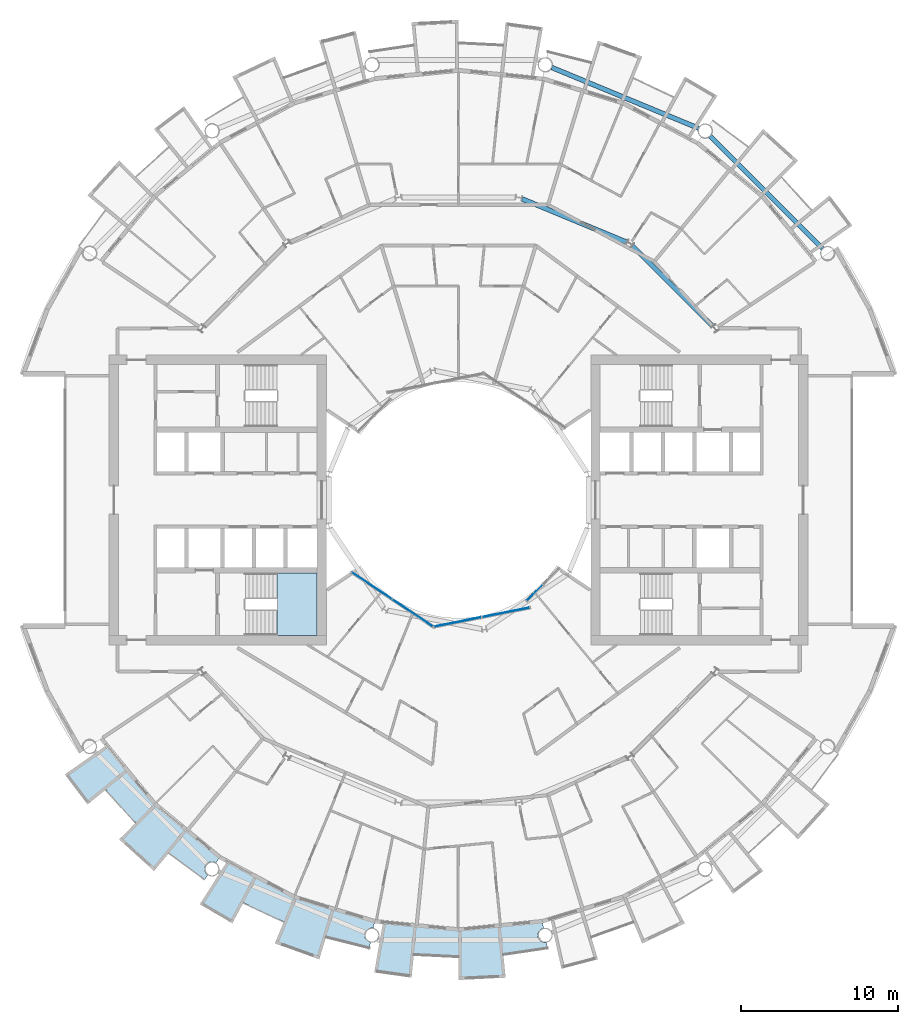
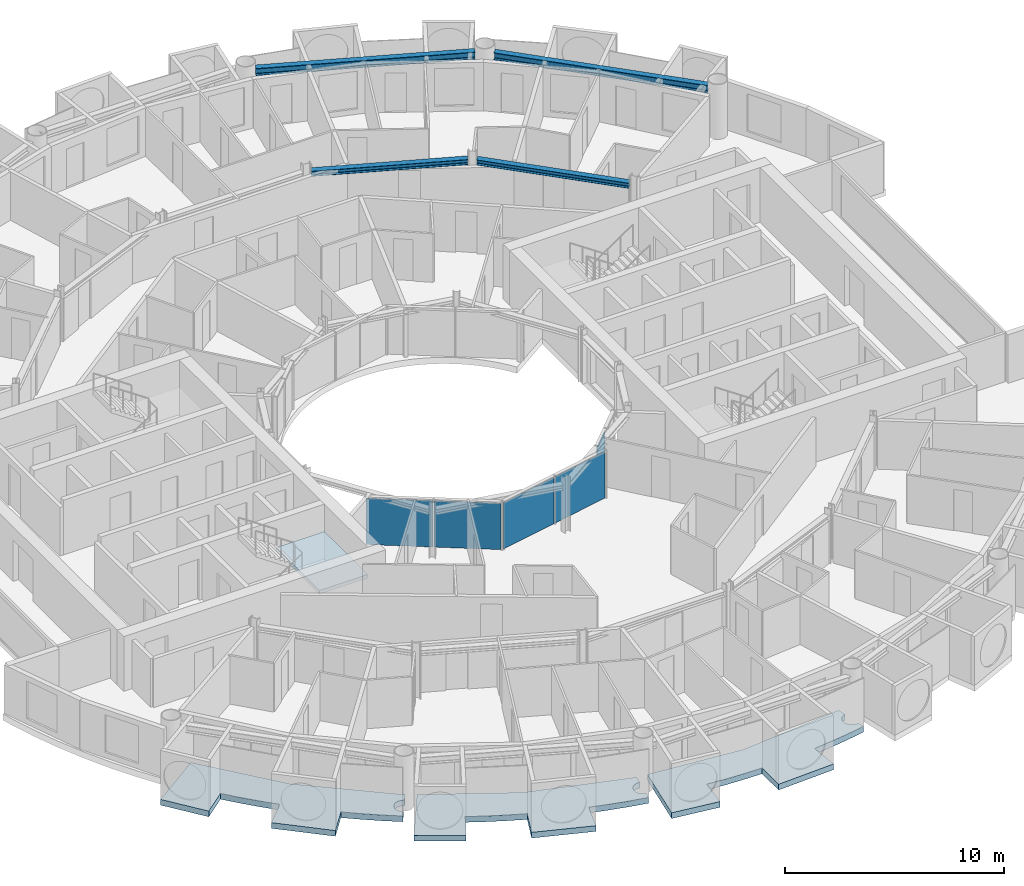
# One storey, part 10 of 27: 5 plates, 4 beams, 4 slabs, 4 elements without a shape of their own.
"""IFC4 building model written with IfcOpenShell, lengths in metres."""

from ifc_helpers import new_model, si_unit, direction, frame, origin, origin_2d, place, context, subcontext, project, spatial, polyline, rectangle, i_section, outline, extrude, material, layer, layer_set, material_profile, profile_set, type_object, element, aggregate, save


model = new_model("IFC4")

# Units and contexts
model_context = context("Model", 3, precision=1e-05, world=origin(), true_north=direction((0.0, 1.0)))
body_context = subcontext(model_context, "Body", "Model", "MODEL_VIEW")
ifc_project = project(units=[si_unit("LENGTHUNIT", "METRE"), si_unit("AREAUNIT", "SQUARE_METRE"), si_unit("VOLUMEUNIT", "CUBIC_METRE"), si_unit("PLANEANGLEUNIT", "RADIAN"), si_unit("MASSUNIT", "GRAM", prefix="KILO")], contexts=[model_context])

# Site, building, storey
site_placement = place(None, origin())
site = spatial("IfcSite", under=ifc_project, at=site_placement, CompositionType="ELEMENT")
building_placement = place(site_placement, origin())
building = spatial("IfcBuilding", under=site, at=building_placement, Name="Maasbend Ring Residences", CompositionType="ELEMENT")
storey_placement = place(building_placement, frame((0.0, 0.0, 117.75)))
storey = spatial("IfcBuildingStorey", under=building, at=storey_placement, Name="L33", CompositionType="ELEMENT", Elevation=117.75)

# Beams
ifc_material_1 = material(Name="Steel S355J2", Category="steel")
ifc_material_profile_1 = material_profile(ifc_material_1, i_section(OverallWidth=0.300048828125, OverallDepth=0.2900390625, WebThickness=0.008544921875, FlangeThickness=0.013916015625, FilletRadius=0.027099609375, at=origin_2d()), Name="HEA 300")
ifc_profile_set_1 = profile_set([ifc_material_profile_1], Name="Steel S355J2")
beam_type_1 = type_object("IfcBeamType", Name="Corridor ring beam HEA 300", PredefinedType="BEAM", material=ifc_profile_set_1)
for number, where, z_axis, x_axis, name in (
    (1, (16.14111328125, 11.044921875, 2.554931640625), (-0.707106781187, 0.707106781187, 0.0), (-0.707106781187, -0.707106781187, 0.0), "Corridor ring beam"),
    (2, (10.685791015625, 16.381103515625, 2.554931640625), (-0.923877693919, 0.382687871089, 0.0), (-0.382687871089, -0.923877693919, 0.0), "Corridor ring beam"),
):
    element("IfcBeam", number, at=place(storey_placement, frame(where, z_axis=z_axis, x_axis=x_axis)), inside=storey, type_object=beam_type_1, Name=name, PredefinedType="BEAM", context=body_context, shape_type="SweptSolid", body=[
        extrude(i_section(OverallWidth=0.300048828125, OverallDepth=0.2900390625, WebThickness=0.008544921875, FlangeThickness=0.013916015625, FilletRadius=0.027099609375, at=origin_2d()), origin(), (0.0, 0.0, 1.0), 7.20703125),
    ])
ifc_material_2 = material(Name="Steel S355J2", Category="steel")
ifc_material_profile_2 = material_profile(ifc_material_2, i_section(OverallWidth=0.300048828125, OverallDepth=0.39990234375, WebThickness=0.013427734375, FlangeThickness=0.02392578125, FilletRadius=0.027099609375, at=origin_2d()), Name="HEB 400")
ifc_profile_set_2 = profile_set([ifc_material_profile_2], Name="Steel S355J2")
beam_type_2 = type_object("IfcBeamType", Name="Spandrel ring beam HEB 400", PredefinedType="SPANDREL", material=ifc_profile_set_2)
for number, where, z_axis, x_axis, name in (
    (3, (23.124267578125, 15.990234375, 2.5), (-0.707106781187, 0.707106781187, 0.0), (-0.707106781187, -0.707106781187, 0.0), "Spandrel ring beam"),
    (4, (15.244873046875, 23.622314453125, 2.5), (-0.92388529709, 0.382669515144, 0.0), (-0.382669515144, -0.92388529709, 0.0), "Spandrel ring beam"),
):
    element("IfcBeam", number, at=place(storey_placement, frame(where, z_axis=z_axis, x_axis=x_axis)), inside=storey, type_object=beam_type_2, Name=name, PredefinedType="SPANDREL", context=body_context, shape_type="SweptSolid", body=[
        extrude(i_section(OverallWidth=0.300048828125, OverallDepth=0.39990234375, WebThickness=0.013427734375, FlangeThickness=0.02392578125, FilletRadius=0.027099609375, at=origin_2d()), origin(), (0.0, 0.0, 1.0), 10.089111328125),
    ])

# Stair, slab
ifc_material_3 = material(Name="Concrete C40/50", Category="concrete")
stair_type = type_object("IfcStairType", Name="CORE STAIR 18 RISERS", PredefinedType="HALF_TURN_STAIR", material=ifc_material_3)
stair_placement = place(storey_placement, origin())
stair = element("IfcStair", 5, at=stair_placement, inside=storey, type_object=stair_type, Name="L33 Exit stair ST-W1", PredefinedType="HALF_TURN_STAIR")
ifc_material_4 = material(Name="Concrete C40/50", Category="concrete")
ifc_layer_1 = layer(ifc_material_4, 0.199951171875)
ifc_layer_set_1 = layer_set([ifc_layer_1], Name="Concrete C40/50")
slab_type_1 = type_object("IfcSlabType", Name="CORE STAIR LANDING 200", PredefinedType="LANDING", material=ifc_layer_set_1)
slab_1_placement = place(storey_placement, frame((0.0, 0.0, 1.324951171875)))
slab_1 = element("IfcSlab", 6, at=slab_1_placement, type_object=slab_type_1, Name="ST-W1 landing 1", PredefinedType="LANDING", context=body_context, shape_type="SweptSolid", body=[
    extrude(outline(polyline([(-11.550048828125, -8.60009765625), (-9.0, -8.60009765625), (-9.0, -4.64990234375), (-11.550048828125, -4.64990234375), (-11.550048828125, -8.60009765625)])), origin(), (0.0, 0.0, 1.0), 0.199951171875),
])
aggregate(stair, [slab_1])

# Curtain wall, plates
ifc_material_5 = material(Name="Aluminium and clear glass", Category="aluminium")
ifc_layer_2 = layer(ifc_material_5, 0.179931640625)
ifc_layer_set_2 = layer_set([ifc_layer_2], Name="CW-W")
curtain_wall_type = type_object("IfcCurtainWallType", Name="CW-W", PredefinedType="NOTDEFINED", material=ifc_layer_set_2)
curtain_wall_1_placement = place(storey_placement, origin())
curtain_wall_1 = element("IfcCurtainWall", 7, at=curtain_wall_1_placement, inside=storey, type_object=curtain_wall_type, Name="Well curtain wall S1", PredefinedType="NOTDEFINED")
ifc_material_6 = material(Name="Glass clear laminated", Category="glass")
ifc_layer_3 = layer(ifc_material_6, 0.031982421875)
ifc_layer_set_3 = layer_set([ifc_layer_3], Name="CWP-W")
plate_type = type_object("IfcPlateType", Name="CWP-W", PredefinedType="CURTAIN_PANEL", material=ifc_layer_set_3)
plate_1_placement = place(storey_placement, frame((-5.51123046875, -5.44580078125, 0.0), z_axis=(0.0, 0.0, 1.0), x_axis=(0.831469612303, -0.55557023302, 0.0)))
plate_1 = element("IfcPlate", 8, at=plate_1_placement, type_object=plate_type, Name="Glass panel well face", PredefinedType="CURTAIN_PANEL", context=body_context, shape_type="SweptSolid", body=[
    extrude(rectangle(XDim=3.053955078125, YDim=0.031982421875, at=origin_2d()), origin(), (0.0, 0.0, 1.0), 2.580078125),
])
plate_2_placement = place(storey_placement, frame((-2.922119140625, -7.17578125, 0.0), z_axis=(0.0, 0.0, 1.0), x_axis=(0.831469612303, -0.55557023302, 0.0)))
plate_2 = element("IfcPlate", 9, at=plate_2_placement, type_object=plate_type, Name="Glass panel well face", PredefinedType="CURTAIN_PANEL", context=body_context, shape_type="SweptSolid", body=[
    extrude(rectangle(XDim=3.053955078125, YDim=0.031982421875, at=origin_2d()), origin(), (0.0, 0.0, 1.0), 2.580078125),
])
aggregate(curtain_wall_1, [plate_1, plate_2])

curtain_wall_2_placement = place(storey_placement, origin())
curtain_wall_2 = element("IfcCurtainWall", 10, at=curtain_wall_2_placement, inside=storey, type_object=curtain_wall_type, Name="Well curtain wall S2", PredefinedType="NOTDEFINED")
plate_3_placement = place(storey_placement, frame((-0.04638671875, -7.747802734375, 0.0), z_axis=(0.0, 0.0, 1.0), x_axis=(0.980785280403, 0.195090322016, 0.0)))
plate_3 = element("IfcPlate", 11, at=plate_3_placement, type_object=plate_type, Name="Glass panel well face", PredefinedType="CURTAIN_PANEL", context=body_context, shape_type="SweptSolid", body=[
    extrude(rectangle(XDim=3.053955078125, YDim=0.031982421875, at=origin_2d()), origin(), (0.0, 0.0, 1.0), 2.580078125),
])
plate_4_placement = place(storey_placement, frame((3.0078125, -7.140380859375, 0.0), z_axis=(0.0, 0.0, 1.0), x_axis=(0.980785280403, 0.195090322016, 0.0)))
plate_4 = element("IfcPlate", 12, at=plate_4_placement, type_object=plate_type, Name="Glass panel well face", PredefinedType="CURTAIN_PANEL", context=body_context, shape_type="SweptSolid", body=[
    extrude(rectangle(XDim=3.053955078125, YDim=0.031982421875, at=origin_2d()), origin(), (0.0, 0.0, 1.0), 2.580078125),
])
aggregate(curtain_wall_2, [plate_3, plate_4])

# Curtain wall, plate
curtain_wall_3_placement = place(storey_placement, origin())
curtain_wall_3 = element("IfcCurtainWall", 13, at=curtain_wall_3_placement, inside=storey, type_object=curtain_wall_type, Name="Well curtain wall S3", PredefinedType="NOTDEFINED")
plate_5_placement = place(storey_placement, frame((4.84375, -5.89013671875, 0.0), z_axis=(0.0, 0.0, 1.0), x_axis=(0.707106781187, 0.707106781187, 0.0)))
plate_5 = element("IfcPlate", 14, at=plate_5_placement, type_object=plate_type, Name="Glass panel well face", PredefinedType="CURTAIN_PANEL", context=body_context, shape_type="SweptSolid", body=[
    extrude(rectangle(XDim=1.419677734375, YDim=0.031982421875, at=origin_2d()), origin(), (0.0, 0.0, 1.0), 2.580078125),
])
aggregate(curtain_wall_3, [plate_5])

# Slabs
ifc_material_7 = material(Name="Concrete C40/50", Category="concrete")
ifc_layer_4 = layer(ifc_material_7, 0.199951171875)
ifc_layer_set_4 = layer_set([ifc_layer_4], Name="Concrete C40/50")
slab_type_2 = type_object("IfcSlabType", Name="SL-LOGGIA", PredefinedType="FLOOR", material=ifc_layer_set_4)
slab_2_placement = place(storey_placement, frame((0.0, 0.0, -0.35009765625)))
element("IfcSlab", 15, at=slab_2_placement, inside=storey, type_object=slab_type_2, Name="Loggia floor 2", PredefinedType="FLOOR", context=body_context, shape_type="SweptSolid", body=[
    extrude(outline(polyline([(-12.806884765625, -23.9609375), (-10.447021484375, -25.221923828125), (-10.447021484375, -25.221923828125), (-10.447021484375, -25.221923828125), (-7.886962890625, -25.9990234375), (-5.325927734375, -26.77490234375), (-5.325927734375, -26.77490234375), (-5.325927734375, -26.77490234375), (-5.412109375, -27.2099609375), (-5.423095703125, -27.2080078125), (-5.43408203125, -27.2060546875), (-5.446044921875, -27.205078125), (-5.45703125, -27.202880859375), (-5.468017578125, -27.201904296875), (-5.47900390625, -27.201904296875), (-5.489990234375, -27.200927734375), (-5.501953125, -27.200927734375), (-5.512939453125, -27.200927734375), (-5.52392578125, -27.201904296875), (-5.534912109375, -27.201904296875), (-5.5458984375, -27.202880859375), (-5.556884765625, -27.205078125), (-5.569091796875, -27.2060546875), (-5.580078125, -27.2080078125), (-5.591064453125, -27.2099609375), (-5.60205078125, -27.2119140625), (-5.613037109375, -27.215087890625), (-5.623046875, -27.218017578125), (-5.634033203125, -27.220947265625), (-5.64501953125, -27.22412109375), (-5.655029296875, -27.22802734375), (-5.666015625, -27.23193359375), (-5.676025390625, -27.236083984375), (-5.68701171875, -27.239990234375), (-5.697021484375, -27.2451171875), (-5.70703125, -27.25), (-5.717041015625, -27.2548828125), (-5.72705078125, -27.260009765625), (-5.736083984375, -27.26611328125), (-5.74609375, -27.27197265625), (-5.7548828125, -27.278076171875), (-5.764892578125, -27.283935546875), (-5.77392578125, -27.291015625), (-5.782958984375, -27.298095703125), (-5.791015625, -27.304931640625), (-5.800048828125, -27.31201171875), (-5.80810546875, -27.319091796875), (-5.81689453125, -27.326904296875), (-5.824951171875, -27.3349609375), (-5.83203125, -27.343017578125), (-5.840087890625, -27.35107421875), (-5.847900390625, -27.360107421875), (-5.85498046875, -27.367919921875), (-5.862060546875, -27.376953125), (-5.868896484375, -27.385986328125), (-5.875, -27.39501953125), (-5.881103515625, -27.404052734375), (-5.887939453125, -27.4140625), (-5.89306640625, -27.423095703125), (-5.89892578125, -27.43310546875), (-5.905029296875, -27.443115234375), (-5.909912109375, -27.452880859375), (-5.9150390625, -27.462890625), (-5.9189453125, -27.472900390625), (-5.924072265625, -27.48291015625), (-5.927978515625, -27.493896484375), (-5.931884765625, -27.50390625), (-5.93505859375, -27.514892578125), (-5.93896484375, -27.52490234375), (-5.94189453125, -27.535888671875), (-5.945068359375, -27.547119140625), (-5.947021484375, -27.55810546875), (-5.949951171875, -27.569091796875), (-5.951904296875, -27.580078125), (-5.9541015625, -27.591064453125), (-5.955078125, -27.60205078125), (-5.9560546875, -27.613037109375), (-5.95703125, -27.6240234375), (-5.9580078125, -27.635986328125), (-5.9580078125, -27.64697265625), (-5.9580078125, -27.657958984375), (-5.9580078125, -27.6689453125), (-5.9580078125, -27.680908203125), (-5.95703125, -27.69189453125), (-5.9560546875, -27.702880859375), (-5.955078125, -27.714111328125), (-5.9541015625, -27.72509765625), (-5.951904296875, -27.736083984375), (-5.949951171875, -27.7470703125), (-5.947021484375, -27.758056640625), (-5.945068359375, -27.76904296875), (-5.94189453125, -27.780029296875), (-5.93896484375, -27.791015625), (-5.93505859375, -27.801025390625), (-5.931884765625, -27.81201171875), (-5.927978515625, -27.822998046875), (-5.924072265625, -27.8330078125), (-5.9189453125, -27.843017578125), (-5.9150390625, -27.85302734375), (-5.909912109375, -27.864013671875), (-5.905029296875, -27.8740234375), (-5.89892578125, -27.883056640625), (-5.89306640625, -27.89306640625), (-5.887939453125, -27.903076171875), (-5.881103515625, -27.912109375), (-5.875, -27.9208984375), (-5.868896484375, -27.929931640625), (-5.862060546875, -27.93896484375), (-5.85498046875, -27.947998046875), (-5.847900390625, -27.95703125), (-5.840087890625, -27.965087890625), (-5.83203125, -27.972900390625), (-5.824951171875, -27.98095703125), (-5.81689453125, -27.989013671875), (-5.80810546875, -27.9970703125), (-5.800048828125, -28.00390625), (-5.791015625, -28.010986328125), (-5.782958984375, -28.01806640625), (-5.77392578125, -28.02490234375), (-5.764892578125, -28.031982421875), (-5.7548828125, -28.0380859375), (-5.74609375, -28.0439453125), (-5.736083984375, -28.050048828125), (-5.72705078125, -28.055908203125), (-5.717041015625, -28.06103515625), (-5.70703125, -28.06591796875), (-5.697021484375, -28.071044921875), (-5.68701171875, -28.075927734375), (-5.676025390625, -28.080078125), (-5.666015625, -28.083984375), (-5.655029296875, -28.087890625), (-5.64501953125, -28.092041015625), (-5.634033203125, -28.094970703125), (-5.623046875, -28.09912109375), (-5.613037109375, -28.10107421875), (-5.60205078125, -28.10400390625), (-5.591064453125, -28.10595703125), (-5.657958984375, -28.443115234375), (-5.657958984375, -28.443115234375), (-5.657958984375, -28.443115234375), (-6.5849609375, -28.241943359375), (-6.5849609375, -28.241943359375), (-7.506103515625, -28.011962890625), (-7.506103515625, -28.011962890625), (-8.41796875, -27.7509765625), (-8.41796875, -27.7509765625), (-8.41796875, -27.7509765625), (-8.41796875, -27.7509765625), (-8.41796875, -27.7509765625), (-8.41796875, -27.7509765625), (-8.41796875, -27.7509765625), (-8.41796875, -27.7509765625), (-8.41796875, -27.7509765625), (-8.41796875, -27.7509765625), (-8.41796875, -27.751953125), (-8.41796875, -27.751953125), (-8.41796875, -27.751953125), (-8.41796875, -27.751953125), (-8.41796875, -27.751953125), (-8.41796875, -27.751953125), (-8.41796875, -27.751953125), (-8.85400390625, -29.18701171875), (-8.85400390625, -29.18701171875), (-8.85400390625, -29.18701171875), (-11.672119140625, -28.177978515625), (-11.672119140625, -28.177978515625), (-11.672119140625, -28.177978515625), (-11.097900390625, -26.79296875), (-11.097900390625, -26.79296875), (-11.097900390625, -26.79296875), (-11.097900390625, -26.79296875), (-11.097900390625, -26.79296875), (-11.097900390625, -26.79296875), (-11.097900390625, -26.79296875), (-11.097900390625, -26.79296875), (-11.097900390625, -26.79296875), (-11.097900390625, -26.79296875), (-11.097900390625, -26.7919921875), (-11.097900390625, -26.7919921875), (-11.097900390625, -26.7919921875), (-11.097900390625, -26.7919921875), (-11.097900390625, -26.7919921875), (-11.097900390625, -26.7919921875), (-11.097900390625, -26.7919921875), (-11.968994140625, -26.4150390625), (-11.968994140625, -26.4150390625), (-12.825927734375, -26.009033203125), (-12.825927734375, -26.009033203125), (-13.669921875, -25.575927734375), (-13.669921875, -25.575927734375), (-13.669921875, -25.575927734375), (-13.669921875, -25.575927734375), (-13.669921875, -25.575927734375), (-13.669921875, -25.575927734375), (-13.669921875, -25.575927734375), (-13.669921875, -25.575927734375), (-13.669921875, -25.575927734375), (-13.669921875, -25.575927734375), (-13.6708984375, -25.575927734375), (-13.6708984375, -25.575927734375), (-13.6708984375, -25.575927734375), (-13.6708984375, -25.575927734375), (-13.6708984375, -25.575927734375), (-13.6708984375, -25.575927734375), (-13.6708984375, -25.575927734375), (-14.3779296875, -26.89892578125), (-14.3779296875, -26.89892578125), (-14.3779296875, -26.89892578125), (-16.44091796875, -25.68994140625), (-16.44091796875, -25.68994140625), (-16.44091796875, -25.68994140625), (-14.68994140625, -22.9541015625), (-14.68994140625, -22.9541015625), (-14.68994140625, -22.9541015625), (-12.806884765625, -23.9609375)])), origin(), (0.0, 0.0, 1.0), 0.320068359375),
])
slab_3_placement = place(storey_placement, frame((0.0, 0.0, -0.35009765625)))
element("IfcSlab", 16, at=slab_3_placement, inside=storey, type_object=slab_type_2, Name="Loggia floor 3", PredefinedType="FLOOR", context=body_context, shape_type="SweptSolid", body=[
    extrude(outline(polyline([(-2.6630859375, -27.0380859375), (0.0, -27.300048828125), (0.0, -27.300048828125), (0.0, -27.300048828125), (2.6630859375, -27.0380859375), (5.325927734375, -26.77490234375), (5.325927734375, -26.77490234375), (5.325927734375, -26.77490234375), (5.412109375, -27.2099609375), (5.412109375, -27.2099609375), (5.40087890625, -27.2119140625), (5.389892578125, -27.215087890625), (5.3798828125, -27.218017578125), (5.368896484375, -27.220947265625), (5.35791015625, -27.22412109375), (5.347900390625, -27.22802734375), (5.3369140625, -27.23193359375), (5.326904296875, -27.236083984375), (5.31591796875, -27.239990234375), (5.305908203125, -27.2451171875), (5.2958984375, -27.25), (5.285888671875, -27.2548828125), (5.27587890625, -27.260009765625), (5.26708984375, -27.26611328125), (5.257080078125, -27.27197265625), (5.248046875, -27.278076171875), (5.238037109375, -27.283935546875), (5.22900390625, -27.291015625), (5.219970703125, -27.298095703125), (5.2119140625, -27.304931640625), (5.202880859375, -27.31201171875), (5.195068359375, -27.319091796875), (5.18603515625, -27.326904296875), (5.177978515625, -27.3349609375), (5.1708984375, -27.343017578125), (5.1630859375, -27.35107421875), (5.155029296875, -27.360107421875), (5.14794921875, -27.367919921875), (5.14111328125, -27.376953125), (5.134033203125, -27.385986328125), (5.1279296875, -27.39501953125), (5.1220703125, -27.404052734375), (5.114990234375, -27.4140625), (5.110107421875, -27.423095703125), (5.10400390625, -27.43310546875), (5.097900390625, -27.443115234375), (5.093017578125, -27.452880859375), (5.087890625, -27.462890625), (5.083984375, -27.472900390625), (5.0791015625, -27.48291015625), (5.074951171875, -27.493896484375), (5.071044921875, -27.50390625), (5.068115234375, -27.514892578125), (5.06396484375, -27.52490234375), (5.06103515625, -27.535888671875), (5.05810546875, -27.547119140625), (5.055908203125, -27.55810546875), (5.052978515625, -27.569091796875), (5.051025390625, -27.580078125), (5.049072265625, -27.591064453125), (5.048095703125, -27.60205078125), (5.047119140625, -27.613037109375), (5.0458984375, -27.6240234375), (5.044921875, -27.635986328125), (5.044921875, -27.64697265625), (5.044921875, -27.657958984375), (5.044921875, -27.6689453125), (5.044921875, -27.680908203125), (5.0458984375, -27.69189453125), (5.047119140625, -27.702880859375), (5.048095703125, -27.714111328125), (5.049072265625, -27.72509765625), (5.051025390625, -27.736083984375), (5.052978515625, -27.7470703125), (5.055908203125, -27.758056640625), (5.05810546875, -27.76904296875), (5.06103515625, -27.780029296875), (5.06396484375, -27.791015625), (5.068115234375, -27.801025390625), (5.071044921875, -27.81201171875), (5.074951171875, -27.822998046875), (5.0791015625, -27.8330078125), (5.083984375, -27.843017578125), (5.087890625, -27.85302734375), (5.093017578125, -27.864013671875), (5.097900390625, -27.8740234375), (5.10400390625, -27.883056640625), (5.110107421875, -27.89306640625), (5.114990234375, -27.903076171875), (5.1220703125, -27.912109375), (5.1279296875, -27.9208984375), (5.134033203125, -27.929931640625), (5.14111328125, -27.93896484375), (5.14794921875, -27.947998046875), (5.155029296875, -27.95703125), (5.1630859375, -27.965087890625), (5.1708984375, -27.972900390625), (5.177978515625, -27.98095703125), (5.18603515625, -27.989013671875), (5.195068359375, -27.9970703125), (5.202880859375, -28.00390625), (5.2119140625, -28.010986328125), (5.219970703125, -28.01806640625), (5.22900390625, -28.02490234375), (5.238037109375, -28.031982421875), (5.248046875, -28.0380859375), (5.257080078125, -28.0439453125), (5.26708984375, -28.050048828125), (5.27587890625, -28.055908203125), (5.285888671875, -28.06103515625), (5.2958984375, -28.06591796875), (5.305908203125, -28.071044921875), (5.31591796875, -28.075927734375), (5.326904296875, -28.080078125), (5.3369140625, -28.083984375), (5.347900390625, -28.087890625), (5.35791015625, -28.092041015625), (5.368896484375, -28.094970703125), (5.3798828125, -28.09912109375), (5.389892578125, -28.10107421875), (5.40087890625, -28.10400390625), (5.412109375, -28.10595703125), (5.423095703125, -28.10791015625), (5.43408203125, -28.110107421875), (5.446044921875, -28.112060546875), (5.45703125, -28.113037109375), (5.468017578125, -28.114013671875), (5.47900390625, -28.114990234375), (5.489990234375, -28.114990234375), (5.501953125, -28.114990234375), (5.512939453125, -28.114990234375), (5.52392578125, -28.114990234375), (5.534912109375, -28.114013671875), (5.5458984375, -28.113037109375), (5.556884765625, -28.112060546875), (5.569091796875, -28.110107421875), (5.580078125, -28.10791015625), (5.591064453125, -28.10595703125), (5.591064453125, -28.10595703125), (5.657958984375, -28.443115234375), (5.657958984375, -28.443115234375), (5.657958984375, -28.443115234375), (4.72412109375, -28.613037109375), (4.72412109375, -28.613037109375), (3.784912109375, -28.751953125), (3.784912109375, -28.751953125), (2.843017578125, -28.860107421875), (2.843017578125, -28.860107421875), (2.843017578125, -28.860107421875), (2.843017578125, -28.860107421875), (2.843017578125, -28.860107421875), (2.843017578125, -28.860107421875), (2.843017578125, -28.860107421875), (2.843017578125, -28.860107421875), (2.843017578125, -28.860107421875), (2.843017578125, -28.861083984375), (2.843017578125, -28.861083984375), (2.843017578125, -28.861083984375), (2.843017578125, -28.861083984375), (2.843017578125, -28.861083984375), (2.843017578125, -28.861083984375), (2.843017578125, -28.861083984375), (2.843017578125, -28.861083984375), (2.989990234375, -30.35302734375), (2.989990234375, -30.35302734375), (2.989990234375, -30.35302734375), (0.0, -30.5), (0.0, -30.5), (0.0, -30.5), (0.0, -29.0), (0.0, -29.0), (0.0, -29.0), (0.0, -29.0), (0.0, -29.0), (0.0, -29.0), (0.0, -29.0), (0.0, -29.0), (0.0, -29.0), (0.0, -29.0), (0.0, -29.0), (0.0, -29.0), (0.0, -29.0), (0.0, -29.0), (0.0, -29.0), (0.0, -29.0), (0.0, -29.0), (-0.948974609375, -28.98388671875), (-0.948974609375, -28.98388671875), (-1.89697265625, -28.93798828125), (-1.89697265625, -28.93798828125), (-2.842041015625, -28.860107421875), (-2.842041015625, -28.860107421875), (-2.842041015625, -28.860107421875), (-2.842041015625, -28.860107421875), (-2.842041015625, -28.860107421875), (-2.842041015625, -28.860107421875), (-2.842041015625, -28.860107421875), (-2.842041015625, -28.860107421875), (-2.842041015625, -28.861083984375), (-2.842041015625, -28.861083984375), (-2.842041015625, -28.861083984375), (-2.842041015625, -28.861083984375), (-2.842041015625, -28.861083984375), (-2.843017578125, -28.861083984375), (-2.843017578125, -28.861083984375), (-2.843017578125, -28.861083984375), (-2.843017578125, -28.861083984375), (-2.989990234375, -30.35302734375), (-2.989990234375, -30.35302734375), (-2.989990234375, -30.35302734375), (-5.35791015625, -30.02587890625), (-5.35791015625, -30.02587890625), (-5.35791015625, -30.02587890625), (-4.7880859375, -26.827880859375), (-4.7880859375, -26.827880859375), (-4.7880859375, -26.827880859375), (-2.6630859375, -27.0380859375)])), origin(), (0.0, 0.0, 1.0), 0.320068359375),
])
slab_4_placement = place(storey_placement, frame((0.0, 0.0, -0.35009765625)))
element("IfcSlab", 17, at=slab_4_placement, inside=storey, type_object=slab_type_2, Name="Loggia floor 5", PredefinedType="FLOOR", context=body_context, shape_type="SweptSolid", body=[
    extrude(outline(polyline([(-21.001953125, -17.236083984375), (-19.303955078125, -19.303955078125), (-19.303955078125, -19.303955078125), (-19.303955078125, -19.303955078125), (-17.236083984375, -21.001953125), (-15.1669921875, -22.698974609375), (-15.1669921875, -22.698974609375), (-15.1669921875, -22.698974609375), (-15.4130859375, -23.06689453125), (-15.4130859375, -23.06689453125), (-15.423095703125, -23.06103515625), (-15.431884765625, -23.054931640625), (-15.44189453125, -23.050048828125), (-15.451904296875, -23.0439453125), (-15.4619140625, -23.0390625), (-15.471923828125, -23.033935546875), (-15.48193359375, -23.030029296875), (-15.491943359375, -23.02490234375), (-15.5029296875, -23.02099609375), (-15.512939453125, -23.01708984375), (-15.52392578125, -23.012939453125), (-15.533935546875, -23.010009765625), (-15.544921875, -23.007080078125), (-15.555908203125, -23.00390625), (-15.56689453125, -23.001953125), (-15.577880859375, -22.9990234375), (-15.589111328125, -22.9970703125), (-15.60009765625, -22.9951171875), (-15.611083984375, -22.993896484375), (-15.6220703125, -22.992919921875), (-15.633056640625, -22.991943359375), (-15.64501953125, -22.990966796875), (-15.656005859375, -22.990966796875), (-15.6669921875, -22.989990234375), (-15.677978515625, -22.990966796875), (-15.68994140625, -22.990966796875), (-15.700927734375, -22.991943359375), (-15.7119140625, -22.992919921875), (-15.722900390625, -22.993896484375), (-15.73388671875, -22.9951171875), (-15.7451171875, -22.9970703125), (-15.756103515625, -22.9990234375), (-15.76708984375, -23.001953125), (-15.778076171875, -23.00390625), (-15.7890625, -23.007080078125), (-15.800048828125, -23.010009765625), (-15.81005859375, -23.012939453125), (-15.821044921875, -23.01708984375), (-15.83203125, -23.02099609375), (-15.842041015625, -23.02490234375), (-15.85205078125, -23.030029296875), (-15.862060546875, -23.033935546875), (-15.873046875, -23.0390625), (-15.883056640625, -23.0439453125), (-15.89208984375, -23.050048828125), (-15.902099609375, -23.054931640625), (-15.912109375, -23.06103515625), (-15.9208984375, -23.06689453125), (-15.929931640625, -23.073974609375), (-15.93896484375, -23.080078125), (-15.947998046875, -23.0869140625), (-15.95703125, -23.093994140625), (-15.966064453125, -23.10107421875), (-15.97412109375, -23.10888671875), (-15.98193359375, -23.115966796875), (-15.989990234375, -23.1240234375), (-15.998046875, -23.132080078125), (-16.006103515625, -23.139892578125), (-16.012939453125, -23.14892578125), (-16.02001953125, -23.156982421875), (-16.027099609375, -23.166015625), (-16.033935546875, -23.175048828125), (-16.041015625, -23.18408203125), (-16.047119140625, -23.194091796875), (-16.052978515625, -23.202880859375), (-16.05908203125, -23.2119140625), (-16.06494140625, -23.221923828125), (-16.070068359375, -23.23193359375), (-16.074951171875, -23.241943359375), (-16.080078125, -23.251953125), (-16.0849609375, -23.261962890625), (-16.089111328125, -23.27294921875), (-16.093017578125, -23.282958984375), (-16.096923828125, -23.29296875), (-16.10107421875, -23.303955078125), (-16.10400390625, -23.31494140625), (-16.10791015625, -23.325927734375), (-16.110107421875, -23.3359375), (-16.113037109375, -23.346923828125), (-16.114990234375, -23.35791015625), (-16.116943359375, -23.368896484375), (-16.118896484375, -23.3798828125), (-16.12109375, -23.39111328125), (-16.1220703125, -23.403076171875), (-16.123046875, -23.4140625), (-16.1240234375, -23.425048828125), (-16.1240234375, -23.43603515625), (-16.1240234375, -23.447021484375), (-16.1240234375, -23.458984375), (-16.1240234375, -23.469970703125), (-16.123046875, -23.48095703125), (-16.1220703125, -23.491943359375), (-16.12109375, -23.5029296875), (-16.118896484375, -23.513916015625), (-16.116943359375, -23.52587890625), (-16.114990234375, -23.537109375), (-16.113037109375, -23.548095703125), (-16.110107421875, -23.55810546875), (-16.10791015625, -23.569091796875), (-16.10400390625, -23.580078125), (-16.10107421875, -23.591064453125), (-16.096923828125, -23.60107421875), (-16.093017578125, -23.612060546875), (-16.089111328125, -23.6220703125), (-16.0849609375, -23.633056640625), (-16.080078125, -23.64306640625), (-16.074951171875, -23.653076171875), (-16.070068359375, -23.6630859375), (-16.06494140625, -23.673095703125), (-16.05908203125, -23.681884765625), (-16.052978515625, -23.69189453125), (-16.047119140625, -23.700927734375), (-16.041015625, -23.7109375), (-16.033935546875, -23.719970703125), (-16.027099609375, -23.72900390625), (-16.02001953125, -23.737060546875), (-16.012939453125, -23.74609375), (-16.006103515625, -23.75390625), (-15.998046875, -23.762939453125), (-15.989990234375, -23.77099609375), (-15.98193359375, -23.778076171875), (-15.97412109375, -23.785888671875), (-15.966064453125, -23.79296875), (-15.95703125, -23.801025390625), (-15.947998046875, -23.80810546875), (-15.93896484375, -23.81396484375), (-15.929931640625, -23.821044921875), (-15.9208984375, -23.826904296875), (-15.9208984375, -23.826904296875), (-16.112060546875, -24.113037109375), (-16.112060546875, -24.113037109375), (-16.112060546875, -24.113037109375), (-16.89208984375, -23.572998046875), (-16.89208984375, -23.572998046875), (-17.654052734375, -23.007080078125), (-17.654052734375, -23.007080078125), (-18.39697265625, -22.41796875), (-18.39697265625, -22.41796875), (-18.39697265625, -22.41796875), (-18.39697265625, -22.41796875), (-18.39697265625, -22.41796875), (-18.39697265625, -22.41796875), (-18.39697265625, -22.41796875), (-18.39697265625, -22.41796875), (-18.39697265625, -22.41796875), (-18.39697265625, -22.41796875), (-18.39697265625, -22.41796875), (-18.39794921875, -22.41796875), (-18.39794921875, -22.41796875), (-18.39794921875, -22.41796875), (-18.39794921875, -22.41796875), (-18.39794921875, -22.41796875), (-18.39794921875, -22.41796875), (-19.34912109375, -23.576904296875), (-19.34912109375, -23.576904296875), (-19.34912109375, -23.576904296875), (-21.56689453125, -21.56689453125), (-21.56689453125, -21.56689453125), (-21.56689453125, -21.56689453125), (-20.506103515625, -20.506103515625), (-20.506103515625, -20.506103515625), (-20.506103515625, -20.506103515625), (-20.506103515625, -20.506103515625), (-20.506103515625, -20.506103515625), (-20.506103515625, -20.506103515625), (-20.506103515625, -20.506103515625), (-20.506103515625, -20.506103515625), (-20.506103515625, -20.506103515625), (-20.506103515625, -20.506103515625), (-20.506103515625, -20.506103515625), (-20.506103515625, -20.506103515625), (-20.506103515625, -20.506103515625), (-20.506103515625, -20.506103515625), (-20.506103515625, -20.506103515625), (-20.506103515625, -20.506103515625), (-20.506103515625, -20.506103515625), (-21.166015625, -19.823974609375), (-21.166015625, -19.823974609375), (-21.802978515625, -19.12109375), (-21.802978515625, -19.12109375), (-22.4169921875, -18.39794921875), (-22.4169921875, -18.39794921875), (-22.4169921875, -18.39794921875), (-22.4169921875, -18.39794921875), (-22.4169921875, -18.39794921875), (-22.4169921875, -18.39794921875), (-22.4169921875, -18.39794921875), (-22.4169921875, -18.39794921875), (-22.4169921875, -18.39794921875), (-22.4169921875, -18.39794921875), (-22.4169921875, -18.39794921875), (-22.4169921875, -18.39794921875), (-22.41796875, -18.39794921875), (-22.41796875, -18.39794921875), (-22.41796875, -18.39794921875), (-22.41796875, -18.39794921875), (-22.41796875, -18.39794921875), (-23.576904296875, -19.34912109375), (-23.576904296875, -19.34912109375), (-23.576904296875, -19.34912109375), (-25.02001953125, -17.44189453125), (-25.02001953125, -17.44189453125), (-25.02001953125, -17.44189453125), (-22.35595703125, -15.5849609375), (-22.35595703125, -15.5849609375), (-22.35595703125, -15.5849609375), (-21.001953125, -17.236083984375)])), origin(), (0.0, 0.0, 1.0), 0.320068359375),
])

save(model, "model.ifc")
